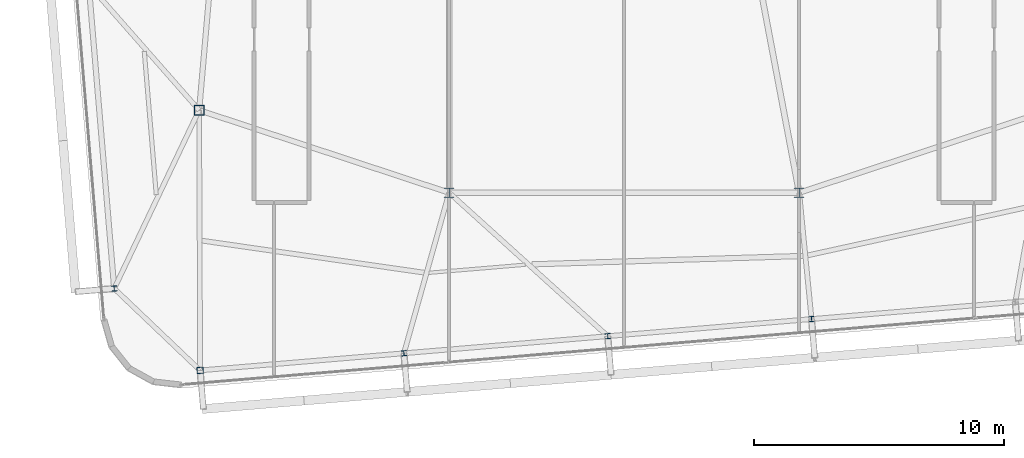
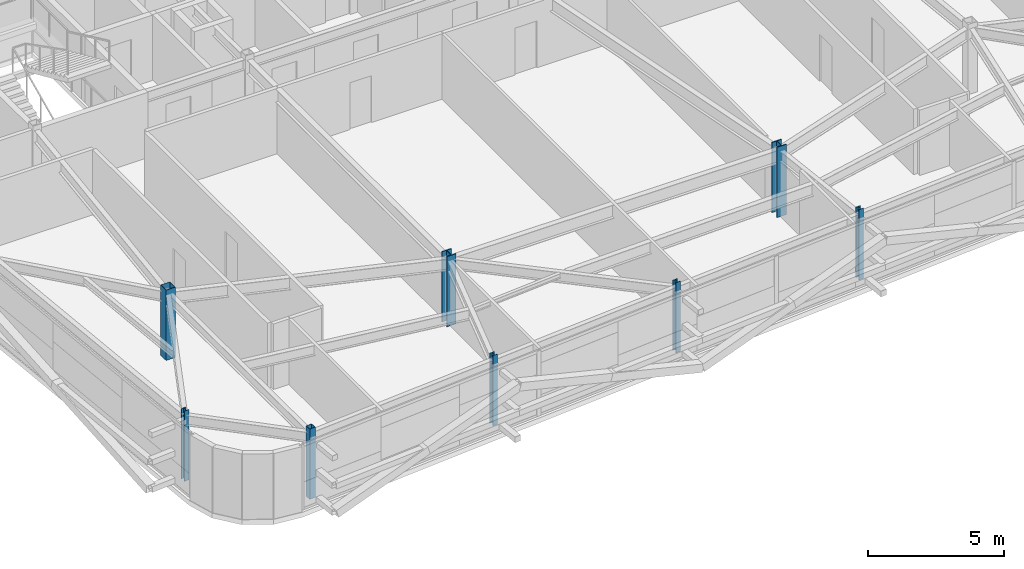
# One storey, part 1 of 39: 8 columns.
"""IFC4 building model written with IfcOpenShell, lengths in metres."""

from ifc_helpers import new_model, si_unit, direction, frame, origin, origin_2d, place, context, subcontext, project, spatial, hollow_rectangle, i_section, extrude, source, transform, mapped, material, material_profile, profile_set, type_object, element, save


model = new_model("IFC4")

# Units and contexts
model_context = context("Model", 3, precision=1e-05, world=origin(), true_north=direction((0.0, 1.0)))
body_context = subcontext(model_context, "Body", "Model", "MODEL_VIEW")
ifc_project = project(units=[si_unit("LENGTHUNIT", "METRE"), si_unit("AREAUNIT", "SQUARE_METRE"), si_unit("VOLUMEUNIT", "CUBIC_METRE"), si_unit("PLANEANGLEUNIT", "RADIAN"), si_unit("MASSUNIT", "GRAM", prefix="KILO")], contexts=[model_context])

# Site, building, storey
site_placement = place(None, origin())
site = spatial("IfcSite", under=ifc_project, at=site_placement, CompositionType="ELEMENT")
building_placement = place(site_placement, origin())
building = spatial("IfcBuilding", under=site, at=building_placement, Name="Taldren Reach Tower", CompositionType="ELEMENT")
storey_placement = place(building_placement, frame((0.0, 0.0, 178.85009765625)))
storey = spatial("IfcBuildingStorey", under=building, at=storey_placement, Name="L54", CompositionType="ELEMENT", Elevation=178.85009765625)

# Columns
ifc_material_1 = material(Name="Steel Gr 350 (350PLUS)", Category="steel")
ifc_material_profile_1 = material_profile(ifc_material_1, i_section(OverallWidth=0.39990234375, OverallDepth=0.39599609375, WebThickness=0.02197265625, FlangeThickness=0.033935546875, at=origin_2d()), Name="400WC270")
ifc_profile_set_1 = profile_set([ifc_material_profile_1], Name="Steel Gr 350 (350PLUS)")
column_type_1 = type_object("IfcColumnType", Name="COL-WC400", PredefinedType="COLUMN", material=ifc_profile_set_1)
shared_shape_1 = source(origin(), body_context, "Body", "SweptSolid", [
    extrude(i_section(OverallWidth=0.39990234375, OverallDepth=0.39599609375, WebThickness=0.02197265625, FlangeThickness=0.033935546875, at=origin_2d()), origin(), (0.0, 0.0, 1.0), 3.14990234375),
])
for number, where, z_axis, x_axis, name in (
    (1, (28.0, 9.199951171875, 0.0), (0.0, 0.0, 1.0), (1.0, 0.0, 0.0), "Mega column MC-PJW L54"),
    (2, (42.0, 9.199951171875, 0.0), (0.0, 0.0, 1.0), (1.0, 0.0, 0.0), "Mega column MC-PJE L54"),
):
    element("IfcColumn", number, at=place(storey_placement, frame(where, z_axis=z_axis, x_axis=x_axis)), inside=storey, type_object=column_type_1, Name=name, PredefinedType="COLUMN", context=body_context, shape_type="MappedRepresentation", body=[
        mapped(shared_shape_1, transform((0.0, 0.0, 0.0), scale=1.0)),
    ])
ifc_material_2 = material(Name="Steel Gr 450 (C450L0)", Category="steel")
ifc_material_profile_2 = material_profile(ifc_material_2, hollow_rectangle(XDim=0.39990234375, YDim=0.39990234375, WallThickness=0.01611328125, at=origin_2d()), Name="400x400x16.0SHS")
ifc_profile_set_2 = profile_set([ifc_material_profile_2], Name="Steel Gr 450 (C450L0)")
column_type_2 = type_object("IfcColumnType", Name="COL-SHS400", PredefinedType="COLUMN", material=ifc_profile_set_2)
shared_shape_2 = source(origin(), body_context, "Body", "SweptSolid", [
    extrude(hollow_rectangle(XDim=0.39990234375, YDim=0.39990234375, WallThickness=0.01611328125, at=origin_2d()), origin(), (0.0, 0.0, 1.0), 3.14990234375),
])
column_1_placement = place(storey_placement, frame((18.0, 12.5, 0.0), z_axis=(0.0, 0.0, 1.0), x_axis=(1.0, 0.0, 0.0)))
element("IfcColumn", 3, at=column_1_placement, inside=storey, type_object=column_type_2, Name="Mega column MC-SW L54", PredefinedType="COLUMN", context=body_context, shape_type="MappedRepresentation", body=[
    mapped(shared_shape_2, transform((0.0, 0.0, 0.0), scale=1.0)),
])
ifc_material_3 = material(Name="Steel Gr 350 (C350L0)", Category="steel")
ifc_material_profile_3 = material_profile(ifc_material_3, hollow_rectangle(XDim=0.25, YDim=0.25, WallThickness=0.010009765625, at=origin_2d()), Name="250x250x10.0SHS")
ifc_profile_set_3 = profile_set([ifc_material_profile_3], Name="Steel Gr 350 (C350L0)")
column_type_3 = type_object("IfcColumnType", Name="COL-SHS250", PredefinedType="COLUMN", material=ifc_profile_set_3)
shared_shape_3 = source(origin(), body_context, "Body", "SweptSolid", [
    extrude(hollow_rectangle(XDim=0.25, YDim=0.25, WallThickness=0.010009765625, at=origin_2d()), origin(), (0.0, 0.0, 1.0), 3.14990234375),
])
column_2_placement = place(storey_placement, frame((18.03955078125, 2.093994140625, 0.0), z_axis=(0.0, 0.0, 1.0), x_axis=(0.99649285925, 0.083677843332, 0.0)))
element("IfcColumn", 4, at=column_2_placement, inside=storey, type_object=column_type_3, Name="Block B4 perimeter column S1 L54", PredefinedType="COLUMN", context=body_context, shape_type="MappedRepresentation", body=[
    mapped(shared_shape_3, transform((0.0, 0.0, 0.0), scale=1.0)),
])
ifc_material_profile_4 = material_profile(ifc_material_1, i_section(OverallWidth=0.205078125, OverallDepth=0.2099609375, WebThickness=0.00927734375, FlangeThickness=0.01416015625, at=origin_2d()), Name="200UC59.5")
ifc_profile_set_4 = profile_set([ifc_material_profile_4], Name="Steel Gr 350 (350PLUS)")
column_type_4 = type_object("IfcColumnType", Name="COL-UC200", PredefinedType="COLUMN", material=ifc_profile_set_4)
shared_shape_4 = source(origin(), body_context, "Body", "SweptSolid", [
    extrude(i_section(OverallWidth=0.205078125, OverallDepth=0.2099609375, WebThickness=0.00927734375, FlangeThickness=0.01416015625, at=origin_2d()), origin(), (0.0, 0.0, 1.0), 3.14990234375),
])
for number, where, z_axis, x_axis, name in (
    (5, (26.19091796875, 2.778564453125, 0.0), (0.0, 0.0, 1.0), (0.99649285925, 0.083677843332, 0.0), "Block B4 perimeter column S2 L54"),
    (6, (34.34228515625, 3.462890625, 0.0), (0.0, 0.0, 1.0), (0.99649285925, 0.083677843332, 0.0), "Block B4 perimeter column S3 L54"),
    (7, (42.49365234375, 4.1474609375, 0.0), (0.0, 0.0, 1.0), (0.99649285925, 0.083677843332, 0.0), "Block B4 perimeter column S4 L54"),
    (8, (14.603759765625, 5.367919921875, 0.0), (0.0, 0.0, 1.0), (0.99649285925, 0.083677843332, 0.0), "Block B4 perimeter column W1 L54"),
):
    element("IfcColumn", number, at=place(storey_placement, frame(where, z_axis=z_axis, x_axis=x_axis)), inside=storey, type_object=column_type_4, Name=name, PredefinedType="COLUMN", context=body_context, shape_type="MappedRepresentation", body=[
        mapped(shared_shape_4, transform((0.0, 0.0, 0.0), scale=1.0)),
    ])

save(model, "model.ifc")
